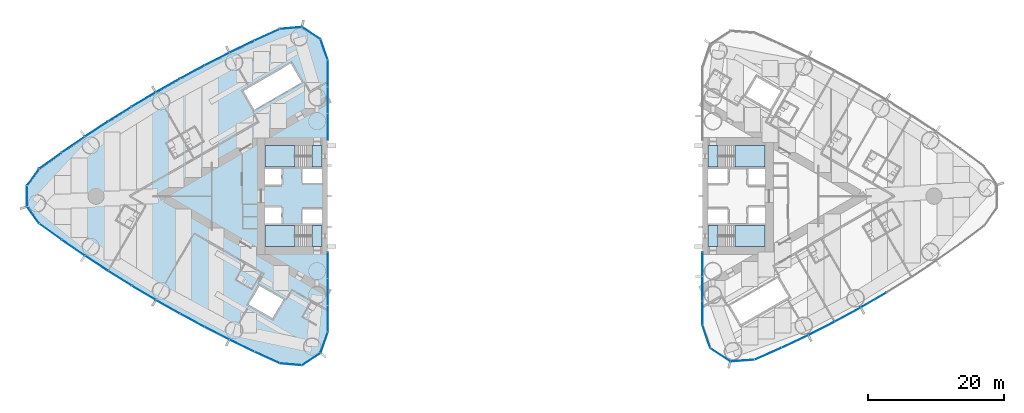
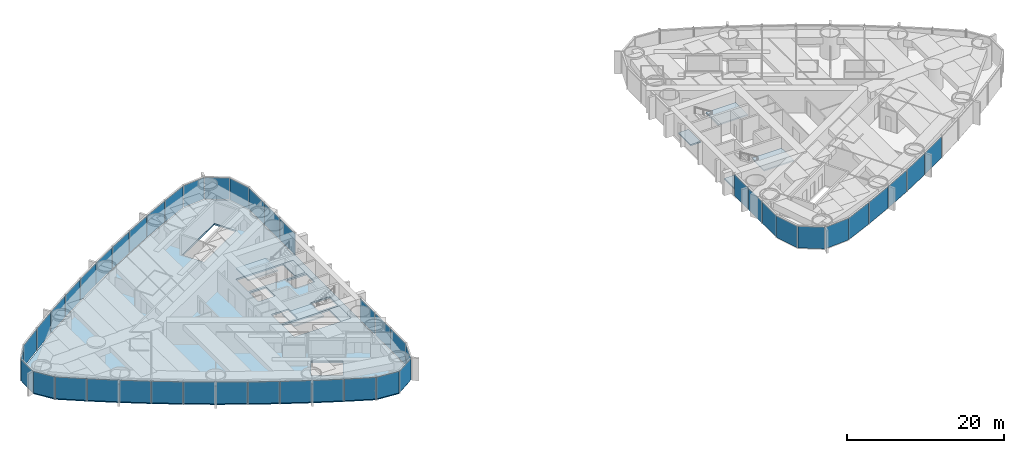
# One storey, part 9 of 19: 46 plates, 9 slabs, 6 elements without a shape of their own.
"""IFC4 building model written with IfcOpenShell, lengths in metres."""

import ifcopenshell
import ifcopenshell.guid

model = None  # the IFC model being written
_history = None  # IfcOwnerHistory: only IFC2X3 demands one
_inside = {}  # id of a spatial element -> (the spatial element, [elements in it])
_under = {}  # id of a project, library or spatial element -> (it, [spatial elements below it])
_declared = {}  # id of a project -> (the project, [libraries it declares])
_typed = {}  # id of a type object -> (the type object, [elements of that type])
_made_of = {}  # id of a material, layer set ... -> (it, [elements and type objects made of it])


def new_model(schema):
    """Start an empty IFC model of exactly this schema.

    Asked for "IFC4X3", IfcOpenShell would pick the latest addendum, in which some entities
    have other attributes; the version numbers below select the first issue.
    IFC2X3 requires an IfcOwnerHistory on every rooted entity: one is made here for all.
    """
    global model, _history
    if schema == "IFC4X3":
        model = ifcopenshell.file(schema_version=(4, 3, 0, 0))
    else:
        model = ifcopenshell.file(schema=schema)
    _inside.clear()
    _under.clear()
    _declared.clear()
    _typed.clear()
    _made_of.clear()
    _history = None
    if model.schema == "IFC2X3":
        org = make("IfcOrganization", Name="unknown")
        user = make(
            "IfcPersonAndOrganization",
            ThePerson=make("IfcPerson", FamilyName="unknown"),
            TheOrganization=org,
        )
        app = make(
            "IfcApplication",
            ApplicationDeveloper=org,
            Version="unknown",
            ApplicationFullName="unknown",
            ApplicationIdentifier="unknown",
        )
        _history = make(
            "IfcOwnerHistory",
            OwningUser=user,
            OwningApplication=app,
            ChangeAction="ADDED",
            CreationDate=0,
        )
    return model


def make(cls, **values):
    """One entity of the class cls with the attributes given. An attribute that is None is left unset."""
    return model.create_entity(
        cls, **{name: value for name, value in values.items() if value is not None}
    )


def rooted(cls, **values):
    """An entity with a GlobalId (a new one), such as an element, a storey or a relation."""
    return make(cls, GlobalId=ifcopenshell.guid.new(), OwnerHistory=_history, **values)


def si_unit(unit_type, name, prefix=None):
    """IfcSIUnit, for example si_unit("LENGTHUNIT", "METRE", prefix="MILLI")."""
    return make("IfcSIUnit", UnitType=unit_type, Prefix=prefix, Name=name)


def assignment(units):
    """IfcUnitAssignment: the units of a project."""
    return None if units is None else make("IfcUnitAssignment", Units=units)


def point(xyz):
    """IfcCartesianPoint."""
    return None if xyz is None else make("IfcCartesianPoint", Coordinates=xyz)


def direction(xyz):
    """IfcDirection."""
    return None if xyz is None else make("IfcDirection", DirectionRatios=xyz)


def frame(location, z_axis=None, x_axis=None):
    """IfcAxis2Placement3D, a coordinate frame: its origin and axes. An axis left out is left unset."""
    return make(
        "IfcAxis2Placement3D",
        Location=point(location),
        Axis=direction(z_axis),
        RefDirection=direction(x_axis),
    )


def frame_2d(location, x_axis=None):
    """IfcAxis2Placement2D, a coordinate frame in the plane: its origin and x axis."""
    return make(
        "IfcAxis2Placement2D", Location=point(location), RefDirection=direction(x_axis)
    )


def origin():
    """The frame at (0, 0, 0) with its axes left unset."""
    return frame((0.0, 0.0, 0.0))


def origin_2d():
    """The frame at (0, 0) in the plane with its x axis left unset."""
    return frame_2d((0.0, 0.0))


def place(relative_to, where):
    """IfcLocalPlacement: puts the frame where relative to a parent placement (None: the world)."""
    return make(
        "IfcLocalPlacement", PlacementRelTo=relative_to, RelativePlacement=where
    )


def context(
    kind, dimensions, precision=None, world=None, true_north=None, identifier=None
):
    """IfcGeometricRepresentationContext, for example the 3D "Model" context."""
    return make(
        "IfcGeometricRepresentationContext",
        ContextIdentifier=identifier,
        ContextType=kind,
        CoordinateSpaceDimension=dimensions,
        Precision=precision,
        WorldCoordinateSystem=world,
        TrueNorth=true_north,
    )


def subcontext(parent, identifier, kind, view, scale=None):
    """IfcGeometricRepresentationSubContext, for example "Body" below "Model"."""
    return make(
        "IfcGeometricRepresentationSubContext",
        ContextIdentifier=identifier,
        ContextType=kind,
        ParentContext=parent,
        TargetScale=scale,
        TargetView=view,
    )


def project(units=None, contexts=None):
    """IfcProject with its units and contexts."""
    return rooted(
        "IfcProject",
        Name="project",
        RepresentationContexts=contexts,
        UnitsInContext=assignment(units),
    )


def spatial(cls, under=None, at=None, **own):
    """A site, building, storey or space (cls), placed at a placement, below another one or the project."""
    s = rooted(cls, ObjectPlacement=at, **own)
    if under is not None:
        _under.setdefault(under.id(), (under, []))[1].append(s)
    return s


def polyline(points):
    """IfcPolyline through the points."""
    return make("IfcPolyline", Points=[point(p) for p in points])


def profile(cls, at=None, kind="AREA", **sizes):
    """A parametric profile (cls). Its sizes go by their IFC names, for example OverallWidth=200.0."""
    return make(cls, ProfileType=kind, Position=at, **sizes)


def rectangle(**sizes):
    """IfcRectangleProfileDef."""
    return profile("IfcRectangleProfileDef", **sizes)


def outline(outer, holes=None, kind="AREA"):
    """IfcArbitraryClosedProfileDef: a profile drawn as a closed curve; with holes, ...WithVoids."""
    if holes is None:
        return make("IfcArbitraryClosedProfileDef", ProfileType=kind, OuterCurve=outer)
    return make(
        "IfcArbitraryProfileDefWithVoids",
        ProfileType=kind,
        OuterCurve=outer,
        InnerCurves=holes,
    )


def extrude(swept, where, along, depth):
    """IfcExtrudedAreaSolid: the profile swept, set in the frame where, extruded along a direction by depth."""
    return make(
        "IfcExtrudedAreaSolid",
        SweptArea=swept,
        Position=where,
        ExtrudedDirection=direction(along),
        Depth=depth,
    )


def shape(context_of_items, identifier, shape_type, items):
    """IfcShapeRepresentation: the items that make up one representation, for example the "Body"."""
    return make(
        "IfcShapeRepresentation",
        ContextOfItems=context_of_items,
        RepresentationIdentifier=identifier,
        RepresentationType=shape_type,
        Items=items,
    )


def material(Name=None, Category=None):
    """IfcMaterial."""
    return make("IfcMaterial", Name=Name, Category=Category)


def layer(
    of_material, thickness, ventilated=None, Name=None, Category=None, Priority=None
):
    """IfcMaterialLayer: one layer of a wall or slab, of a material (None: an air gap)."""
    return make(
        "IfcMaterialLayer",
        Material=of_material,
        LayerThickness=thickness,
        IsVentilated=ventilated,
        Name=Name,
        Category=Category,
        Priority=Priority,
    )


def layer_set(layers, Name=None):
    """IfcMaterialLayerSet."""
    return make("IfcMaterialLayerSet", MaterialLayers=layers, LayerSetName=Name)


def made_of(thing, what):
    """Note that an element or type object is made of a material, layer set ...; save() writes the relation."""
    if what is not None:
        _made_of.setdefault(what.id(), (what, []))[1].append(thing)
    return thing


def type_object(cls, material=None, **own):
    """A type object (cls), such as IfcWallType, which elements share."""
    return made_of(rooted(cls, **own), material)


def element(
    cls,
    number,
    at=None,
    inside=None,
    cuts=None,
    type_object=None,
    material=None,
    context=None,
    identifier="Body",
    shape_type=None,
    held_by="IfcProductDefinitionShape",
    body=None,
    shapes=None,
    **own,
):
    """One element of the class cls, such as IfcWall. Its Tag is "e" and its number.

    at: its placement. inside: the storey or other place that contains it. cuts: it is an
    opening in that element (IfcRelVoidsElement). A single representation is given by context,
    identifier, shape_type and body (its items); several are given by shapes. held_by: the class
    of the entity that holds the representations. save() writes the other relations.
    """
    e = rooted(cls, Tag="e%d" % number, ObjectPlacement=at, **own)
    if body is not None:
        shapes = [shape(context, identifier, shape_type, body)]
    if shapes is not None:
        e.Representation = make(held_by, Representations=shapes)
    if inside is not None:
        _inside.setdefault(inside.id(), (inside, []))[1].append(e)
    if cuts is not None:
        rooted(
            "IfcRelVoidsElement", RelatingBuildingElement=cuts, RelatedOpeningElement=e
        )
    if type_object is not None:
        _typed.setdefault(type_object.id(), (type_object, []))[1].append(e)
    return made_of(e, material)


def aggregate(whole, parts):
    """IfcRelAggregates: a whole, such as a stair, and the parts it consists of."""
    return rooted("IfcRelAggregates", RelatingObject=whole, RelatedObjects=parts)


def save(model, path):
    """Write the relations noted so far, then the file.

    IfcRelAggregates (storeys below a building ...), IfcRelContainedInSpatialStructure (elements
    in a storey), IfcRelDefinesByType, IfcRelAssociatesMaterial and IfcRelDeclares: one each for
    every whole, place, type object, material and project.
    """
    for whole, parts in _under.values():
        aggregate(whole, parts)
    for where, things in _inside.values():
        rooted(
            "IfcRelContainedInSpatialStructure",
            RelatedElements=things,
            RelatingStructure=where,
        )
    for kind, things in _typed.values():
        rooted("IfcRelDefinesByType", RelatedObjects=things, RelatingType=kind)
    for what, things in _made_of.values():
        rooted("IfcRelAssociatesMaterial", RelatedObjects=things, RelatingMaterial=what)
    for by, libraries in _declared.values():
        rooted("IfcRelDeclares", RelatingContext=by, RelatedDefinitions=libraries)
    model.write(path)


model = new_model("IFC4")

# Units and contexts
model_context = context("Model", 3, precision=1e-05, world=origin(), true_north=direction((0.0, 1.0)))
body_context = subcontext(model_context, "Body", "Model", "MODEL_VIEW")
ifc_project = project(units=[si_unit("LENGTHUNIT", "METRE"), si_unit("AREAUNIT", "SQUARE_METRE"), si_unit("VOLUMEUNIT", "CUBIC_METRE"), si_unit("PLANEANGLEUNIT", "RADIAN"), si_unit("MASSUNIT", "GRAM", prefix="KILO")], contexts=[model_context])

# Site, building, storey
site_placement = place(None, origin())
site = spatial("IfcSite", under=ifc_project, at=site_placement, CompositionType="ELEMENT")
building_placement = place(site_placement, origin())
building = spatial("IfcBuilding", under=site, at=building_placement, Name="Lancet Gate Hotel", CompositionType="ELEMENT")
storey_placement = place(building_placement, frame((0.0, 0.0, 111.60009765625)))
storey = spatial("IfcBuildingStorey", under=building, at=storey_placement, Name="L29", CompositionType="ELEMENT", Elevation=111.60009765625)

# Slab
ifc_material_1 = material(Name="Concrete C50/60", Category="concrete")
ifc_layer_1 = layer(ifc_material_1, 0.25)
ifc_layer_set_1 = layer_set([ifc_layer_1], Name="Floor slab 250")
slab_type_1 = type_object("IfcSlabType", Name="Floor slab 250", PredefinedType="FLOOR", material=ifc_layer_set_1)
slab_1_placement = place(storey_placement, frame((0.0, 0.0, -0.25)))
element("IfcSlab", 1, at=slab_1_placement, inside=storey, type_object=slab_type_1, Name="T1 L29 floor slab", PredefinedType="FLOOR", context=body_context, shape_type="SweptSolid", body=[
    extrude(outline(polyline([(-27.5, 8.60009765625), (-27.6201171875, 8.60009765625), (-27.6201171875, 19.950927734375), (-28.65966796875, 22.970947265625), (-31.320068359375, 24.69921875), (-34.5009765625, 24.421630859375), (-38.201416015625, 22.727783203125), (-41.8818359375, 20.946044921875), (-45.523193359375, 19.085693359375), (-49.12353515625, 17.147216796875), (-52.681396484375, 15.131591796875), (-56.195068359375, 13.0400390625), (-59.662841796875, 10.873291015625), (-63.0830078125, 8.63232421875), (-66.454345703125, 6.318115234375), (-69.76025390625, 3.94287109375), (-71.523193359375, 1.49755859375), (-71.523193359375, -1.49755859375), (-69.76025390625, -3.94287109375), (-66.454345703125, -6.318115234375), (-63.0830078125, -8.63232421875), (-59.662841796875, -10.873291015625), (-56.195068359375, -13.0400390625), (-52.681396484375, -15.131591796875), (-49.12353515625, -17.147216796875), (-45.523193359375, -19.085693359375), (-41.8818359375, -20.946044921875), (-38.201416015625, -22.727783203125), (-34.5009765625, -24.421630859375), (-31.320068359375, -24.69921875), (-28.65966796875, -22.970947265625), (-27.6201171875, -19.950927734375), (-27.6201171875, -8.60009765625), (-27.5, -8.60009765625), (-27.5, -8.199951171875), (-27.5, 8.199951171875), (-27.5, 8.60009765625)]), holes=[polyline([(-36.699951171875, 7.39990234375), (-36.699951171875, 4.300048828125), (-28.300048828125, 4.300048828125), (-28.300048828125, 7.39990234375), (-36.699951171875, 7.39990234375)]), polyline([(-28.300048828125, 4.0), (-31.199951171875, 4.0), (-31.199951171875, 1.89990234375), (-28.300048828125, 1.89990234375), (-28.300048828125, 4.0)]), polyline([(-34.25, 4.0), (-36.699951171875, 4.0), (-36.699951171875, 1.64990234375), (-34.25, 1.64990234375), (-34.25, 4.0)]), polyline([(-36.699951171875, -1.64990234375), (-36.699951171875, -4.0), (-34.25, -4.0), (-34.25, -1.64990234375), (-36.699951171875, -1.64990234375)]), polyline([(-28.300048828125, -1.89990234375), (-31.199951171875, -1.89990234375), (-31.199951171875, -4.0), (-28.300048828125, -4.0), (-28.300048828125, -1.89990234375)]), polyline([(-28.300048828125, -4.300048828125), (-36.699951171875, -4.300048828125), (-36.699951171875, -7.39990234375), (-28.300048828125, -7.39990234375), (-28.300048828125, -4.300048828125)]), polyline([(-31.2900390625, 16.73095703125), (-32.889892578125, 19.501953125), (-39.904052734375, 15.451904296875), (-38.303955078125, 12.680908203125), (-31.2900390625, 16.73095703125)]), polyline([(-33.97412109375, -15.180908203125), (-37.52490234375, -13.131103515625), (-39.125, -15.902099609375), (-35.573974609375, -17.951904296875), (-33.97412109375, -15.180908203125)])]), origin(), (0.0, 0.0, 1.0), 0.25),
])

# Stair, slabs
ifc_material_2 = material(Name="Exit stair 20 risers 1500")
stair_type = type_object("IfcStairType", Name="Exit stair 20 risers 1500", PredefinedType="HALF_TURN_STAIR", material=ifc_material_2)
stair_1_placement = place(storey_placement, origin())
stair_1 = element("IfcStair", 2, at=stair_1_placement, inside=storey, type_object=stair_type, Name="T1 stair 1 L29", PredefinedType="HALF_TURN_STAIR")
ifc_material_3 = material(Name="Concrete C40/50", Category="concrete")
ifc_layer_2 = layer(ifc_material_3, 0.199951171875)
ifc_layer_set_2 = layer_set([ifc_layer_2], Name="Stair landing 200")
slab_type_2 = type_object("IfcSlabType", Name="Stair landing 200", PredefinedType="LANDING", material=ifc_layer_set_2)
slab_2_placement = place(storey_placement, frame((0.0, 0.0, -0.2001953125)))
slab_2 = element("IfcSlab", 3, at=slab_2_placement, type_object=slab_type_2, Name="ST1 landing 1", PredefinedType="LANDING", context=body_context, shape_type="SweptSolid", body=[
    extrude(outline(polyline([(-28.300048828125, 7.39990234375), (-29.800048828125, 7.39990234375), (-29.800048828125, 4.300048828125), (-28.300048828125, 4.300048828125), (-28.300048828125, 7.39990234375)])), origin(), (0.0, 0.0, 1.0), 0.2001953125),
])
slab_3_placement = place(storey_placement, frame((0.0, 0.0, 1.5498046875)))
slab_3 = element("IfcSlab", 4, at=slab_3_placement, type_object=slab_type_2, Name="ST1 landing 2", PredefinedType="LANDING", context=body_context, shape_type="SweptSolid", body=[
    extrude(outline(polyline([(-32.320068359375, 7.39990234375), (-36.699951171875, 7.39990234375), (-36.699951171875, 4.300048828125), (-32.320068359375, 4.300048828125), (-32.320068359375, 7.39990234375)])), origin(), (0.0, 0.0, 1.0), 0.2001953125),
])
aggregate(stair_1, [slab_2, slab_3])

stair_2_placement = place(storey_placement, origin())
stair_2 = element("IfcStair", 5, at=stair_2_placement, inside=storey, type_object=stair_type, Name="T1 stair 2 L29", PredefinedType="HALF_TURN_STAIR")
slab_4_placement = place(storey_placement, frame((0.0, 0.0, -0.2001953125)))
slab_4 = element("IfcSlab", 6, at=slab_4_placement, type_object=slab_type_2, Name="ST2 landing 1", PredefinedType="LANDING", context=body_context, shape_type="SweptSolid", body=[
    extrude(outline(polyline([(-28.300048828125, -4.300048828125), (-29.800048828125, -4.300048828125), (-29.800048828125, -7.39990234375), (-28.300048828125, -7.39990234375), (-28.300048828125, -4.300048828125)])), origin(), (0.0, 0.0, 1.0), 0.2001953125),
])
slab_5_placement = place(storey_placement, frame((0.0, 0.0, 1.5498046875)))
slab_5 = element("IfcSlab", 7, at=slab_5_placement, type_object=slab_type_2, Name="ST2 landing 2", PredefinedType="LANDING", context=body_context, shape_type="SweptSolid", body=[
    extrude(outline(polyline([(-32.320068359375, -4.300048828125), (-36.699951171875, -4.300048828125), (-36.699951171875, -7.39990234375), (-32.320068359375, -7.39990234375), (-32.320068359375, -4.300048828125)])), origin(), (0.0, 0.0, 1.0), 0.2001953125),
])
aggregate(stair_2, [slab_4, slab_5])

stair_3_placement = place(storey_placement, origin())
stair_3 = element("IfcStair", 8, at=stair_3_placement, inside=storey, type_object=stair_type, Name="T2 stair 1 L29", PredefinedType="HALF_TURN_STAIR")
slab_6_placement = place(storey_placement, frame((0.0, 0.0, -0.2001953125)))
slab_6 = element("IfcSlab", 9, at=slab_6_placement, type_object=slab_type_2, Name="ST3 landing 1", PredefinedType="LANDING", context=body_context, shape_type="SweptSolid", body=[
    extrude(outline(polyline([(28.300048828125, -7.39990234375), (29.800048828125, -7.39990234375), (29.800048828125, -4.300048828125), (28.300048828125, -4.300048828125), (28.300048828125, -7.39990234375)])), origin(), (0.0, 0.0, 1.0), 0.2001953125),
])
slab_7_placement = place(storey_placement, frame((0.0, 0.0, 1.5498046875)))
slab_7 = element("IfcSlab", 10, at=slab_7_placement, type_object=slab_type_2, Name="ST3 landing 2", PredefinedType="LANDING", context=body_context, shape_type="SweptSolid", body=[
    extrude(outline(polyline([(32.320068359375, -7.39990234375), (36.699951171875, -7.39990234375), (36.699951171875, -4.300048828125), (32.320068359375, -4.300048828125), (32.320068359375, -7.39990234375)])), origin(), (0.0, 0.0, 1.0), 0.2001953125),
])
aggregate(stair_3, [slab_6, slab_7])

stair_4_placement = place(storey_placement, origin())
stair_4 = element("IfcStair", 11, at=stair_4_placement, inside=storey, type_object=stair_type, Name="T2 stair 2 L29", PredefinedType="HALF_TURN_STAIR")
slab_8_placement = place(storey_placement, frame((0.0, 0.0, -0.2001953125)))
slab_8 = element("IfcSlab", 12, at=slab_8_placement, type_object=slab_type_2, Name="ST4 landing 1", PredefinedType="LANDING", context=body_context, shape_type="SweptSolid", body=[
    extrude(outline(polyline([(28.300048828125, 4.300048828125), (29.800048828125, 4.300048828125), (29.800048828125, 7.39990234375), (28.300048828125, 7.39990234375), (28.300048828125, 4.300048828125)])), origin(), (0.0, 0.0, 1.0), 0.2001953125),
])
slab_9_placement = place(storey_placement, frame((0.0, 0.0, 1.5498046875)))
slab_9 = element("IfcSlab", 13, at=slab_9_placement, type_object=slab_type_2, Name="ST4 landing 2", PredefinedType="LANDING", context=body_context, shape_type="SweptSolid", body=[
    extrude(outline(polyline([(32.320068359375, 4.300048828125), (36.699951171875, 4.300048828125), (36.699951171875, 7.39990234375), (32.320068359375, 7.39990234375), (32.320068359375, 4.300048828125)])), origin(), (0.0, 0.0, 1.0), 0.2001953125),
])
aggregate(stair_4, [slab_8, slab_9])

# Curtain wall, plates
ifc_material_4 = material(Name="Aluminium curtain wall", Category="aluminium")
curtain_wall_type = type_object("IfcCurtainWallType", Name="Tower unitised curtain wall", PredefinedType="USERDEFINED", material=ifc_material_4)
curtain_wall_1_placement = place(storey_placement, origin())
curtain_wall_1 = element("IfcCurtainWall", 14, at=curtain_wall_1_placement, inside=storey, type_object=curtain_wall_type, Name="T1 L29 curtain wall 1", ObjectType="UNITISED CURTAIN WALL", PredefinedType="USERDEFINED")
ifc_material_5 = material(Name="Glass double glazed unit 8-16-6", Category="glass")
ifc_layer_3 = layer(ifc_material_5, 0.030029296875)
ifc_layer_set_3 = layer_set([ifc_layer_3], Name="Vision panel double glazed")
plate_type = type_object("IfcPlateType", Name="Vision panel double glazed", PredefinedType="CURTAIN_PANEL", material=ifc_layer_set_3)
plate_1_placement = place(storey_placement, frame((-27.5, 10.161865234375, -0.000244140625), z_axis=(0.0, 0.0, 1.0), x_axis=(0.0, 1.0, 0.0)))
plate_1 = element("IfcPlate", 15, at=plate_1_placement, type_object=plate_type, Name="T1 L29 curtain wall 1 panel 1", PredefinedType="CURTAIN_PANEL", context=body_context, shape_type="SweptSolid", body=[
    extrude(rectangle(XDim=3.858642578125, YDim=0.030029296875, at=origin_2d()), origin(), (0.0, 0.0, 1.0), 3.35009765625),
])
plate_2_placement = place(storey_placement, frame((-27.5, 14.08544921875, -0.000244140625), z_axis=(0.0, 0.0, 1.0), x_axis=(0.0, 1.0, 0.0)))
plate_2 = element("IfcPlate", 16, at=plate_2_placement, type_object=plate_type, Name="T1 L29 curtain wall 1 panel 2", PredefinedType="CURTAIN_PANEL", context=body_context, shape_type="SweptSolid", body=[
    extrude(rectangle(XDim=3.858642578125, YDim=0.030029296875, at=origin_2d()), origin(), (0.0, 0.0, 1.0), 3.35009765625),
])
plate_3_placement = place(storey_placement, frame((-27.5, 18.00927734375, -0.000244140625), z_axis=(0.0, 0.0, 1.0), x_axis=(0.0, 1.0, 0.0)))
plate_3 = element("IfcPlate", 17, at=plate_3_placement, type_object=plate_type, Name="T1 L29 curtain wall 1 panel 3", PredefinedType="CURTAIN_PANEL", context=body_context, shape_type="SweptSolid", body=[
    extrude(rectangle(XDim=3.858642578125, YDim=0.030029296875, at=origin_2d()), origin(), (0.0, 0.0, 1.0), 3.35009765625),
])
plate_4_placement = place(storey_placement, frame((-28.02978515625, 21.510009765625, -0.000244140625), z_axis=(0.0, 0.0, 1.0), x_axis=(-0.325515820766, 0.945536593914, 0.0)))
plate_4 = element("IfcPlate", 18, at=plate_4_placement, type_object=plate_type, Name="T1 L29 curtain wall 1 panel 4", PredefinedType="CURTAIN_PANEL", context=body_context, shape_type="SweptSolid", body=[
    extrude(rectangle(XDim=3.190185546875, YDim=0.030029296875, at=origin_2d()), origin(), (0.0, 0.0, 1.0), 3.35009765625),
])
plate_5_placement = place(storey_placement, frame((-29.924560546875, 23.935546875, -0.000244140625), z_axis=(0.0, 0.0, 1.0), x_axis=(-0.838580121261, 0.544778285385, 0.0)))
plate_5 = element("IfcPlate", 19, at=plate_5_placement, type_object=plate_type, Name="T1 L29 curtain wall 1 panel 5", PredefinedType="CURTAIN_PANEL", context=body_context, shape_type="SweptSolid", body=[
    extrude(rectangle(XDim=3.190185546875, YDim=0.030029296875, at=origin_2d()), origin(), (0.0, 0.0, 1.0), 3.35009765625),
])
plate_6_placement = place(storey_placement, frame((-32.91064453125, 24.680908203125, -0.000244140625), z_axis=(0.0, 0.0, 1.0), x_axis=(-0.996218779711, -0.086880049207, 0.0)))
plate_6 = element("IfcPlate", 20, at=plate_6_placement, type_object=plate_type, Name="T1 L29 curtain wall 1 panel 6", PredefinedType="CURTAIN_PANEL", context=body_context, shape_type="SweptSolid", body=[
    extrude(rectangle(XDim=3.190185546875, YDim=0.030029296875, at=origin_2d()), origin(), (0.0, 0.0, 1.0), 3.35009765625),
])
plate_7_placement = place(storey_placement, frame((-36.392333984375, 23.68798828125, -0.000244140625), z_axis=(0.0, 0.0, 1.0), x_axis=(-0.909252721243, -0.416244506166, 0.0)))
plate_7 = element("IfcPlate", 21, at=plate_7_placement, type_object=plate_type, Name="T1 L29 curtain wall 1 panel 7", PredefinedType="CURTAIN_PANEL", context=body_context, shape_type="SweptSolid", body=[
    extrude(rectangle(XDim=4.026611328125, YDim=0.030029296875, at=origin_2d()), origin(), (0.0, 0.0, 1.0), 3.35009765625),
])
plate_8_placement = place(storey_placement, frame((-40.093994140625, 21.945068359375, -0.000244140625), z_axis=(0.0, 0.0, 1.0), x_axis=(-0.900081672047, -0.435721222395, 0.0)))
plate_8 = element("IfcPlate", 22, at=plate_8_placement, type_object=plate_type, Name="T1 L29 curtain wall 1 panel 8", PredefinedType="CURTAIN_PANEL", context=body_context, shape_type="SweptSolid", body=[
    extrude(rectangle(XDim=4.026611328125, YDim=0.030029296875, at=origin_2d()), origin(), (0.0, 0.0, 1.0), 3.35009765625),
])
plate_9_placement = place(storey_placement, frame((-43.757080078125, 20.122802734375, -0.000244140625), z_axis=(0.0, 0.0, 1.0), x_axis=(-0.890493479451, -0.45499600334, 0.0)))
plate_9 = element("IfcPlate", 23, at=plate_9_placement, type_object=plate_type, Name="T1 L29 curtain wall 1 panel 9", PredefinedType="CURTAIN_PANEL", context=body_context, shape_type="SweptSolid", body=[
    extrude(rectangle(XDim=4.026611328125, YDim=0.030029296875, at=origin_2d()), origin(), (0.0, 0.0, 1.0), 3.35009765625),
])
plate_10_placement = place(storey_placement, frame((-47.380126953125, 18.221923828125, -0.000244140625), z_axis=(0.0, 0.0, 1.0), x_axis=(-0.880492587094, -0.474059916121, 0.0)))
plate_10 = element("IfcPlate", 24, at=plate_10_placement, type_object=plate_type, Name="T1 L29 curtain wall 1 panel 10", PredefinedType="CURTAIN_PANEL", context=body_context, shape_type="SweptSolid", body=[
    extrude(rectangle(XDim=4.026611328125, YDim=0.030029296875, at=origin_2d()), origin(), (0.0, 0.0, 1.0), 3.35009765625),
])
plate_11_placement = place(storey_placement, frame((-50.961669921875, 16.243896484375, -0.000244140625), z_axis=(0.0, 0.0, 1.0), x_axis=(-0.870083629903, -0.49290412554, 0.0)))
plate_11 = element("IfcPlate", 25, at=plate_11_placement, type_object=plate_type, Name="T1 L29 curtain wall 1 panel 11", PredefinedType="CURTAIN_PANEL", context=body_context, shape_type="SweptSolid", body=[
    extrude(rectangle(XDim=4.026611328125, YDim=0.030029296875, at=origin_2d()), origin(), (0.0, 0.0, 1.0), 3.35009765625),
])
plate_12_placement = place(storey_placement, frame((-54.49951171875, 14.18896484375, -0.000244140625), z_axis=(0.0, 0.0, 1.0), x_axis=(-0.859271431916, -0.511519898238, 0.0)))
plate_12 = element("IfcPlate", 26, at=plate_12_placement, type_object=plate_type, Name="T1 L29 curtain wall 1 panel 12", PredefinedType="CURTAIN_PANEL", context=body_context, shape_type="SweptSolid", body=[
    extrude(rectangle(XDim=4.026611328125, YDim=0.030029296875, at=origin_2d()), origin(), (0.0, 0.0, 1.0), 3.35009765625),
])
plate_13_placement = place(storey_placement, frame((-57.992431640625, 12.058349609375, -0.000244140625), z_axis=(0.0, 0.0, 1.0), x_axis=(-0.848061004052, -0.529898606722, 0.0)))
plate_13 = element("IfcPlate", 27, at=plate_13_placement, type_object=plate_type, Name="T1 L29 curtain wall 1 panel 13", PredefinedType="CURTAIN_PANEL", context=body_context, shape_type="SweptSolid", body=[
    extrude(rectangle(XDim=4.026611328125, YDim=0.030029296875, at=origin_2d()), origin(), (0.0, 0.0, 1.0), 3.35009765625),
])
plate_14_placement = place(storey_placement, frame((-61.438720703125, 9.85302734375, -0.000244140625), z_axis=(0.0, 0.0, 1.0), x_axis=(-0.836457541791, -0.54803173337, 0.0)))
plate_14 = element("IfcPlate", 28, at=plate_14_placement, type_object=plate_type, Name="T1 L29 curtain wall 1 panel 14", PredefinedType="CURTAIN_PANEL", context=body_context, shape_type="SweptSolid", body=[
    extrude(rectangle(XDim=4.026611328125, YDim=0.030029296875, at=origin_2d()), origin(), (0.0, 0.0, 1.0), 3.35009765625),
])
plate_15_placement = place(storey_placement, frame((-64.836669921875, 7.57421875, -0.000244140625), z_axis=(0.0, 0.0, 1.0), x_axis=(-0.824466422775, -0.565910874357, 0.0)))
plate_15 = element("IfcPlate", 29, at=plate_15_placement, type_object=plate_type, Name="T1 L29 curtain wall 1 panel 15", PredefinedType="CURTAIN_PANEL", context=body_context, shape_type="SweptSolid", body=[
    extrude(rectangle(XDim=4.026611328125, YDim=0.030029296875, at=origin_2d()), origin(), (0.0, 0.0, 1.0), 3.35009765625),
])
plate_16_placement = place(storey_placement, frame((-68.184814453125, 5.22265625, -0.000244140625), z_axis=(0.0, 0.0, 1.0), x_axis=(-0.812093204276, -0.583527743615, 0.0)))
plate_16 = element("IfcPlate", 30, at=plate_16_placement, type_object=plate_type, Name="T1 L29 curtain wall 1 panel 16", PredefinedType="CURTAIN_PANEL", context=body_context, shape_type="SweptSolid", body=[
    extrude(rectangle(XDim=4.026611328125, YDim=0.030029296875, at=origin_2d()), origin(), (0.0, 0.0, 1.0), 3.35009765625),
])
plate_17_placement = place(storey_placement, frame((-70.74462890625, 2.782470703125, -0.000244140625), z_axis=(0.0, 0.0, 1.0), x_axis=(-0.584808645706, -0.811171281486, 0.0)))
plate_17 = element("IfcPlate", 31, at=plate_17_placement, type_object=plate_type, Name="T1 L29 curtain wall 1 panel 17", PredefinedType="CURTAIN_PANEL", context=body_context, shape_type="SweptSolid", body=[
    extrude(rectangle(XDim=3.0078125, YDim=0.030029296875, at=origin_2d()), origin(), (0.0, 0.0, 1.0), 3.35009765625),
])
plate_18_placement = place(storey_placement, frame((-71.64306640625, 0.0, -0.000244140625), z_axis=(0.0, 0.0, 1.0), x_axis=(0.0, -1.0, 0.0)))
plate_18 = element("IfcPlate", 32, at=plate_18_placement, type_object=plate_type, Name="T1 L29 curtain wall 1 panel 18", PredefinedType="CURTAIN_PANEL", context=body_context, shape_type="SweptSolid", body=[
    extrude(rectangle(XDim=3.0078125, YDim=0.030029296875, at=origin_2d()), origin(), (0.0, 0.0, 1.0), 3.35009765625),
])
plate_19_placement = place(storey_placement, frame((-70.74462890625, -2.782470703125, -0.000244140625), z_axis=(0.0, 0.0, 1.0), x_axis=(0.584808645706, -0.811171281486, 0.0)))
plate_19 = element("IfcPlate", 33, at=plate_19_placement, type_object=plate_type, Name="T1 L29 curtain wall 1 panel 19", PredefinedType="CURTAIN_PANEL", context=body_context, shape_type="SweptSolid", body=[
    extrude(rectangle(XDim=3.0078125, YDim=0.030029296875, at=origin_2d()), origin(), (0.0, 0.0, 1.0), 3.35009765625),
])
plate_20_placement = place(storey_placement, frame((-68.184814453125, -5.22265625, -0.000244140625), z_axis=(0.0, 0.0, 1.0), x_axis=(0.812093204276, -0.583527743615, 0.0)))
plate_20 = element("IfcPlate", 34, at=plate_20_placement, type_object=plate_type, Name="T1 L29 curtain wall 1 panel 20", PredefinedType="CURTAIN_PANEL", context=body_context, shape_type="SweptSolid", body=[
    extrude(rectangle(XDim=4.026611328125, YDim=0.030029296875, at=origin_2d()), origin(), (0.0, 0.0, 1.0), 3.35009765625),
])
plate_21_placement = place(storey_placement, frame((-64.836669921875, -7.57421875, -0.000244140625), z_axis=(0.0, 0.0, 1.0), x_axis=(0.824466422775, -0.565910874357, 0.0)))
plate_21 = element("IfcPlate", 35, at=plate_21_placement, type_object=plate_type, Name="T1 L29 curtain wall 1 panel 21", PredefinedType="CURTAIN_PANEL", context=body_context, shape_type="SweptSolid", body=[
    extrude(rectangle(XDim=4.026611328125, YDim=0.030029296875, at=origin_2d()), origin(), (0.0, 0.0, 1.0), 3.35009765625),
])
plate_22_placement = place(storey_placement, frame((-61.438720703125, -9.85302734375, -0.000244140625), z_axis=(0.0, 0.0, 1.0), x_axis=(0.836457541791, -0.54803173337, 0.0)))
plate_22 = element("IfcPlate", 36, at=plate_22_placement, type_object=plate_type, Name="T1 L29 curtain wall 1 panel 22", PredefinedType="CURTAIN_PANEL", context=body_context, shape_type="SweptSolid", body=[
    extrude(rectangle(XDim=4.026611328125, YDim=0.030029296875, at=origin_2d()), origin(), (0.0, 0.0, 1.0), 3.35009765625),
])
plate_23_placement = place(storey_placement, frame((-57.992431640625, -12.058349609375, -0.000244140625), z_axis=(0.0, 0.0, 1.0), x_axis=(0.848061004052, -0.529898606722, 0.0)))
plate_23 = element("IfcPlate", 37, at=plate_23_placement, type_object=plate_type, Name="T1 L29 curtain wall 1 panel 23", PredefinedType="CURTAIN_PANEL", context=body_context, shape_type="SweptSolid", body=[
    extrude(rectangle(XDim=4.026611328125, YDim=0.030029296875, at=origin_2d()), origin(), (0.0, 0.0, 1.0), 3.35009765625),
])
plate_24_placement = place(storey_placement, frame((-54.49951171875, -14.18896484375, -0.000244140625), z_axis=(0.0, 0.0, 1.0), x_axis=(0.859271431916, -0.511519898238, 0.0)))
plate_24 = element("IfcPlate", 38, at=plate_24_placement, type_object=plate_type, Name="T1 L29 curtain wall 1 panel 24", PredefinedType="CURTAIN_PANEL", context=body_context, shape_type="SweptSolid", body=[
    extrude(rectangle(XDim=4.026611328125, YDim=0.030029296875, at=origin_2d()), origin(), (0.0, 0.0, 1.0), 3.35009765625),
])
plate_25_placement = place(storey_placement, frame((-50.961669921875, -16.243896484375, -0.000244140625), z_axis=(0.0, 0.0, 1.0), x_axis=(0.870083629903, -0.49290412554, 0.0)))
plate_25 = element("IfcPlate", 39, at=plate_25_placement, type_object=plate_type, Name="T1 L29 curtain wall 1 panel 25", PredefinedType="CURTAIN_PANEL", context=body_context, shape_type="SweptSolid", body=[
    extrude(rectangle(XDim=4.026611328125, YDim=0.030029296875, at=origin_2d()), origin(), (0.0, 0.0, 1.0), 3.35009765625),
])
plate_26_placement = place(storey_placement, frame((-47.380126953125, -18.221923828125, -0.000244140625), z_axis=(0.0, 0.0, 1.0), x_axis=(0.880492587094, -0.474059916121, 0.0)))
plate_26 = element("IfcPlate", 40, at=plate_26_placement, type_object=plate_type, Name="T1 L29 curtain wall 1 panel 26", PredefinedType="CURTAIN_PANEL", context=body_context, shape_type="SweptSolid", body=[
    extrude(rectangle(XDim=4.026611328125, YDim=0.030029296875, at=origin_2d()), origin(), (0.0, 0.0, 1.0), 3.35009765625),
])
plate_27_placement = place(storey_placement, frame((-43.757080078125, -20.122802734375, -0.000244140625), z_axis=(0.0, 0.0, 1.0), x_axis=(0.890493479451, -0.45499600334, 0.0)))
plate_27 = element("IfcPlate", 41, at=plate_27_placement, type_object=plate_type, Name="T1 L29 curtain wall 1 panel 27", PredefinedType="CURTAIN_PANEL", context=body_context, shape_type="SweptSolid", body=[
    extrude(rectangle(XDim=4.026611328125, YDim=0.030029296875, at=origin_2d()), origin(), (0.0, 0.0, 1.0), 3.35009765625),
])
plate_28_placement = place(storey_placement, frame((-40.093994140625, -21.945068359375, -0.000244140625), z_axis=(0.0, 0.0, 1.0), x_axis=(0.900081672047, -0.435721222395, 0.0)))
plate_28 = element("IfcPlate", 42, at=plate_28_placement, type_object=plate_type, Name="T1 L29 curtain wall 1 panel 28", PredefinedType="CURTAIN_PANEL", context=body_context, shape_type="SweptSolid", body=[
    extrude(rectangle(XDim=4.026611328125, YDim=0.030029296875, at=origin_2d()), origin(), (0.0, 0.0, 1.0), 3.35009765625),
])
plate_29_placement = place(storey_placement, frame((-36.392333984375, -23.68798828125, -0.000244140625), z_axis=(0.0, 0.0, 1.0), x_axis=(0.909252721243, -0.416244506166, 0.0)))
plate_29 = element("IfcPlate", 43, at=plate_29_placement, type_object=plate_type, Name="T1 L29 curtain wall 1 panel 29", PredefinedType="CURTAIN_PANEL", context=body_context, shape_type="SweptSolid", body=[
    extrude(rectangle(XDim=4.026611328125, YDim=0.030029296875, at=origin_2d()), origin(), (0.0, 0.0, 1.0), 3.35009765625),
])
plate_30_placement = place(storey_placement, frame((-32.91064453125, -24.680908203125, -0.000244140625), z_axis=(0.0, 0.0, 1.0), x_axis=(0.996218779711, -0.086880049207, 0.0)))
plate_30 = element("IfcPlate", 44, at=plate_30_placement, type_object=plate_type, Name="T1 L29 curtain wall 1 panel 30", PredefinedType="CURTAIN_PANEL", context=body_context, shape_type="SweptSolid", body=[
    extrude(rectangle(XDim=3.190185546875, YDim=0.030029296875, at=origin_2d()), origin(), (0.0, 0.0, 1.0), 3.35009765625),
])
plate_31_placement = place(storey_placement, frame((-29.924560546875, -23.935546875, -0.000244140625), z_axis=(0.0, 0.0, 1.0), x_axis=(0.838580121261, 0.544778285385, 0.0)))
plate_31 = element("IfcPlate", 45, at=plate_31_placement, type_object=plate_type, Name="T1 L29 curtain wall 1 panel 31", PredefinedType="CURTAIN_PANEL", context=body_context, shape_type="SweptSolid", body=[
    extrude(rectangle(XDim=3.190185546875, YDim=0.030029296875, at=origin_2d()), origin(), (0.0, 0.0, 1.0), 3.35009765625),
])
plate_32_placement = place(storey_placement, frame((-28.02978515625, -21.510009765625, -0.000244140625), z_axis=(0.0, 0.0, 1.0), x_axis=(0.325515820766, 0.945536593914, 0.0)))
plate_32 = element("IfcPlate", 46, at=plate_32_placement, type_object=plate_type, Name="T1 L29 curtain wall 1 panel 32", PredefinedType="CURTAIN_PANEL", context=body_context, shape_type="SweptSolid", body=[
    extrude(rectangle(XDim=3.190185546875, YDim=0.030029296875, at=origin_2d()), origin(), (0.0, 0.0, 1.0), 3.35009765625),
])
plate_33_placement = place(storey_placement, frame((-27.5, -18.00927734375, -0.000244140625), z_axis=(0.0, 0.0, 1.0), x_axis=(0.0, 1.0, 0.0)))
plate_33 = element("IfcPlate", 47, at=plate_33_placement, type_object=plate_type, Name="T1 L29 curtain wall 1 panel 33", PredefinedType="CURTAIN_PANEL", context=body_context, shape_type="SweptSolid", body=[
    extrude(rectangle(XDim=3.858642578125, YDim=0.030029296875, at=origin_2d()), origin(), (0.0, 0.0, 1.0), 3.35009765625),
])
plate_34_placement = place(storey_placement, frame((-27.5, -14.08544921875, -0.000244140625), z_axis=(0.0, 0.0, 1.0), x_axis=(0.0, 1.0, 0.0)))
plate_34 = element("IfcPlate", 48, at=plate_34_placement, type_object=plate_type, Name="T1 L29 curtain wall 1 panel 34", PredefinedType="CURTAIN_PANEL", context=body_context, shape_type="SweptSolid", body=[
    extrude(rectangle(XDim=3.858642578125, YDim=0.030029296875, at=origin_2d()), origin(), (0.0, 0.0, 1.0), 3.35009765625),
])
plate_35_placement = place(storey_placement, frame((-27.5, -10.161865234375, -0.000244140625), z_axis=(0.0, 0.0, 1.0), x_axis=(0.0, 1.0, 0.0)))
plate_35 = element("IfcPlate", 49, at=plate_35_placement, type_object=plate_type, Name="T1 L29 curtain wall 1 panel 35", PredefinedType="CURTAIN_PANEL", context=body_context, shape_type="SweptSolid", body=[
    extrude(rectangle(XDim=3.858642578125, YDim=0.030029296875, at=origin_2d()), origin(), (0.0, 0.0, 1.0), 3.35009765625),
])
aggregate(curtain_wall_1, [plate_1, plate_2, plate_3, plate_4, plate_5, plate_6, plate_7, plate_8, plate_9, plate_10, plate_11, plate_12, plate_13, plate_14, plate_15, plate_16, plate_17, plate_18, plate_19, plate_20, plate_21, plate_22, plate_23, plate_24, plate_25, plate_26, plate_27, plate_28, plate_29, plate_30, plate_31, plate_32, plate_33, plate_34, plate_35])

curtain_wall_2_placement = place(storey_placement, origin())
curtain_wall_2 = element("IfcCurtainWall", 50, at=curtain_wall_2_placement, inside=storey, type_object=curtain_wall_type, Name="T2 L29 curtain wall 1", ObjectType="UNITISED CURTAIN WALL", PredefinedType="USERDEFINED")
plate_36_placement = place(storey_placement, frame((27.5, -9.990478515625, -0.000244140625), z_axis=(0.0, 0.0, 1.0), x_axis=(0.0, -1.0, 0.0)))
plate_36 = element("IfcPlate", 51, at=plate_36_placement, type_object=plate_type, Name="T2 L29 curtain wall 1 panel 1", PredefinedType="CURTAIN_PANEL", context=body_context, shape_type="SweptSolid", body=[
    extrude(rectangle(XDim=3.515869140625, YDim=0.030029296875, at=origin_2d()), origin(), (0.0, 0.0, 1.0), 3.35009765625),
])
plate_37_placement = place(storey_placement, frame((27.5, -13.571533203125, -0.000244140625), z_axis=(0.0, 0.0, 1.0), x_axis=(0.0, -1.0, 0.0)))
plate_37 = element("IfcPlate", 52, at=plate_37_placement, type_object=plate_type, Name="T2 L29 curtain wall 1 panel 2", PredefinedType="CURTAIN_PANEL", context=body_context, shape_type="SweptSolid", body=[
    extrude(rectangle(XDim=3.515869140625, YDim=0.030029296875, at=origin_2d()), origin(), (0.0, 0.0, 1.0), 3.35009765625),
])
plate_38_placement = place(storey_placement, frame((27.5, -17.15234375, -0.000244140625), z_axis=(0.0, 0.0, 1.0), x_axis=(0.0, -1.0, 0.0)))
plate_38 = element("IfcPlate", 53, at=plate_38_placement, type_object=plate_type, Name="T2 L29 curtain wall 1 panel 3", PredefinedType="CURTAIN_PANEL", context=body_context, shape_type="SweptSolid", body=[
    extrude(rectangle(XDim=3.515869140625, YDim=0.030029296875, at=origin_2d()), origin(), (0.0, 0.0, 1.0), 3.35009765625),
])
plate_39_placement = place(storey_placement, frame((28.072265625, -20.622314453125, -0.000244140625), z_axis=(0.0, 0.0, 1.0), x_axis=(0.32257568891, -0.946543673015, 0.0)))
plate_39 = element("IfcPlate", 54, at=plate_39_placement, type_object=plate_type, Name="T2 L29 curtain wall 1 panel 4", PredefinedType="CURTAIN_PANEL", context=body_context, shape_type="SweptSolid", body=[
    extrude(rectangle(XDim=3.4833984375, YDim=0.030029296875, at=origin_2d()), origin(), (0.0, 0.0, 1.0), 3.35009765625),
])
plate_40_placement = place(storey_placement, frame((30.123291015625, -23.281982421875, -0.000244140625), z_axis=(0.0, 0.0, 1.0), x_axis=(0.833464516611, -0.552572981198, 0.0)))
plate_40 = element("IfcPlate", 55, at=plate_40_placement, type_object=plate_type, Name="T2 L29 curtain wall 1 panel 5", PredefinedType="CURTAIN_PANEL", context=body_context, shape_type="SweptSolid", body=[
    extrude(rectangle(XDim=3.4833984375, YDim=0.030029296875, at=origin_2d()), origin(), (0.0, 0.0, 1.0), 3.35009765625),
])
plate_41_placement = place(storey_placement, frame((33.37158203125, -24.1357421875, -0.000244140625), z_axis=(0.0, 0.0, 1.0), x_axis=(0.997448492935, 0.07138980278, 0.0)))
plate_41 = element("IfcPlate", 56, at=plate_41_placement, type_object=plate_type, Name="T2 L29 curtain wall 1 panel 6", PredefinedType="CURTAIN_PANEL", context=body_context, shape_type="SweptSolid", body=[
    extrude(rectangle(XDim=3.4833984375, YDim=0.030029296875, at=origin_2d()), origin(), (0.0, 0.0, 1.0), 3.35009765625),
])
plate_42_placement = place(storey_placement, frame((37.13134765625, -23.13427734375, -0.000244140625), z_axis=(0.0, 0.0, 1.0), x_axis=(0.915478658759, 0.40236653111, 0.0)))
plate_42 = element("IfcPlate", 57, at=plate_42_placement, type_object=plate_type, Name="T2 L29 curtain wall 1 panel 7", PredefinedType="CURTAIN_PANEL", context=body_context, shape_type="SweptSolid", body=[
    extrude(rectangle(XDim=4.2822265625, YDim=0.030029296875, at=origin_2d()), origin(), (0.0, 0.0, 1.0), 3.35009765625),
])
plate_43_placement = place(storey_placement, frame((41.08544921875, -21.3291015625, -0.000244140625), z_axis=(0.0, 0.0, 1.0), x_axis=(0.903683440096, 0.428201167789, 0.0)))
plate_43 = element("IfcPlate", 58, at=plate_43_placement, type_object=plate_type, Name="T2 L29 curtain wall 1 panel 8", PredefinedType="CURTAIN_PANEL", context=body_context, shape_type="SweptSolid", body=[
    extrude(rectangle(XDim=4.2822265625, YDim=0.030029296875, at=origin_2d()), origin(), (0.0, 0.0, 1.0), 3.35009765625),
])
plate_44_placement = place(storey_placement, frame((44.98681640625, -19.412109375, -0.000244140625), z_axis=(0.0, 0.0, 1.0), x_axis=(0.891159350462, 0.453690436403, 0.0)))
plate_44 = element("IfcPlate", 59, at=plate_44_placement, type_object=plate_type, Name="T2 L29 curtain wall 1 panel 9", PredefinedType="CURTAIN_PANEL", context=body_context, shape_type="SweptSolid", body=[
    extrude(rectangle(XDim=4.2822265625, YDim=0.030029296875, at=origin_2d()), origin(), (0.0, 0.0, 1.0), 3.35009765625),
])
plate_45_placement = place(storey_placement, frame((48.832275390625, -17.38525390625, -0.000244140625), z_axis=(0.0, 0.0, 1.0), x_axis=(0.877916491224, 0.478813778454, 0.0)))
plate_45 = element("IfcPlate", 60, at=plate_45_placement, type_object=plate_type, Name="T2 L29 curtain wall 1 panel 10", PredefinedType="CURTAIN_PANEL", context=body_context, shape_type="SweptSolid", body=[
    extrude(rectangle(XDim=4.2822265625, YDim=0.030029296875, at=origin_2d()), origin(), (0.0, 0.0, 1.0), 3.35009765625),
])
plate_46_placement = place(storey_placement, frame((52.618408203125, -15.249755859375, -0.000244140625), z_axis=(0.0, 0.0, 1.0), x_axis=(0.863965543499, 0.503550930538, 0.0)))
plate_46 = element("IfcPlate", 61, at=plate_46_placement, type_object=plate_type, Name="T2 L29 curtain wall 1 panel 11", PredefinedType="CURTAIN_PANEL", context=body_context, shape_type="SweptSolid", body=[
    extrude(rectangle(XDim=4.2822265625, YDim=0.030029296875, at=origin_2d()), origin(), (0.0, 0.0, 1.0), 3.35009765625),
])
aggregate(curtain_wall_2, [plate_36, plate_37, plate_38, plate_39, plate_40, plate_41, plate_42, plate_43, plate_44, plate_45, plate_46])

save(model, "model.ifc")
